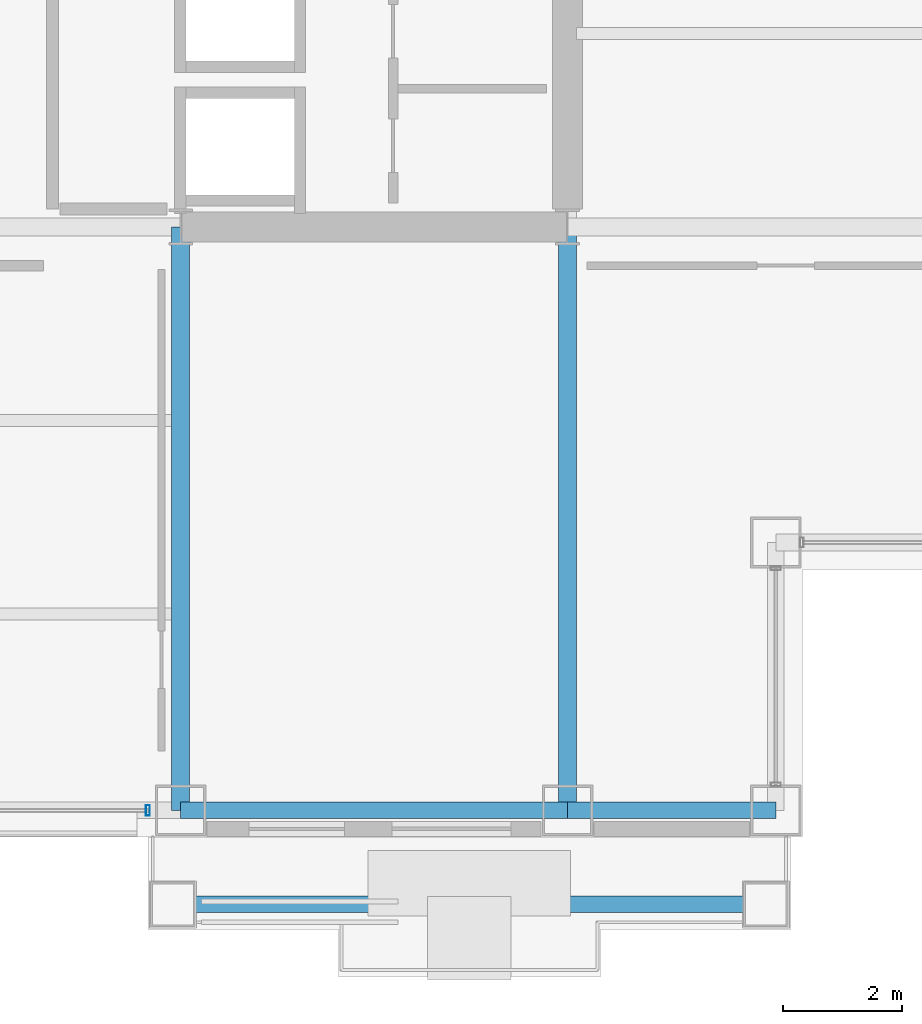
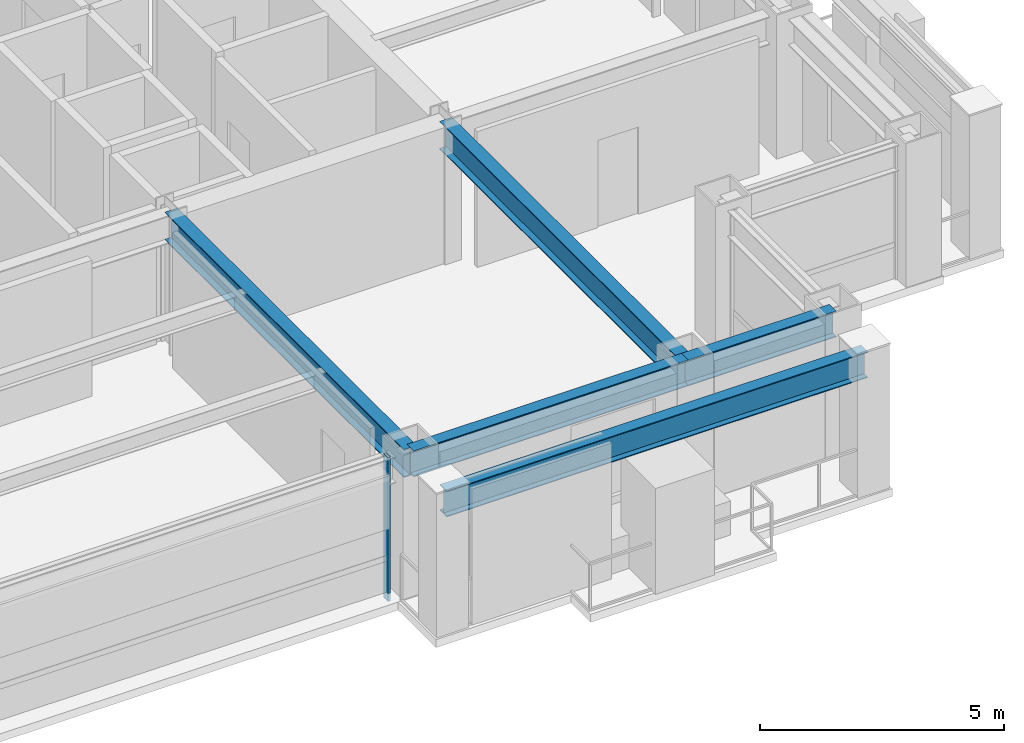
# One storey, part 11 of 29: 5 beams, 1 member, 1 element without a shape of its own.
"""IFC4 building model written with IfcOpenShell, lengths in metres."""

from ifc_helpers import new_model, si_unit, direction, frame, origin, origin_2d, place, context, subcontext, project, spatial, hollow_rectangle, i_section, extrude, material, layer, layer_set, material_profile, profile_set, type_object, element, aggregate, save


model = new_model("IFC4")

# Units and contexts
model_context = context("Model", 3, precision=1e-05, world=origin(), true_north=direction((0.0, 1.0)))
body_context = subcontext(model_context, "Body", "Model", "MODEL_VIEW")
ifc_project = project(units=[si_unit("LENGTHUNIT", "METRE"), si_unit("AREAUNIT", "SQUARE_METRE"), si_unit("VOLUMEUNIT", "CUBIC_METRE"), si_unit("PLANEANGLEUNIT", "RADIAN"), si_unit("MASSUNIT", "GRAM", prefix="KILO")], contexts=[model_context])

# Site, building, storey
site_placement = place(None, origin())
site = spatial("IfcSite", under=ifc_project, at=site_placement, CompositionType="ELEMENT")
building_placement = place(site_placement, origin())
building = spatial("IfcBuilding", under=site, at=building_placement, Name="Brelmoor Portico Tower", CompositionType="ELEMENT")
storey_placement = place(building_placement, frame((0.0, 0.0, 95.39990234375)))
storey = spatial("IfcBuildingStorey", under=building, at=storey_placement, Name="L24", CompositionType="ELEMENT", Elevation=95.39990234375)

# Beams
ifc_material_1 = material(Name="Steel Q355B", Category="steel")
ifc_material_profile_1 = material_profile(ifc_material_1, i_section(OverallWidth=0.300048828125, OverallDepth=0.699951171875, WebThickness=0.012939453125, FlangeThickness=0.02392578125, at=origin_2d()), Name="HN 700x300x13x24")
ifc_profile_set_1 = profile_set([ifc_material_profile_1], Name="Steel Q355B")
beam_type_1 = type_object("IfcBeamType", Name="BM-PG-700", PredefinedType="BEAM", material=ifc_profile_set_1)
for number, where, z_axis, x_axis, name in (
    (1, (8.050048828125, -19.550048828125, 3.050048828125), (0.0, 1.0, 0.0), (-1.0, 0.0, 0.0), "L24 Primary Floor Girder PG-08"),
    (2, (14.550048828125, -19.550048828125, 3.050048828125), (0.0, 1.0, 0.0), (-1.0, 0.0, 0.0), "L24 Primary Floor Girder PG-10"),
):
    element("IfcBeam", number, at=place(storey_placement, frame(where, z_axis=z_axis, x_axis=x_axis)), inside=storey, type_object=beam_type_1, Name=name, PredefinedType="BEAM", context=body_context, shape_type="SweptSolid", body=[
        extrude(i_section(OverallWidth=0.300048828125, OverallDepth=0.699951171875, WebThickness=0.012939453125, FlangeThickness=0.02392578125, at=origin_2d()), origin(), (0.0, 0.0, 1.0), 9.800048828125),
    ])
ifc_material_profile_2 = material_profile(ifc_material_1, i_section(OverallWidth=0.280029296875, OverallDepth=0.64990234375, WebThickness=0.012939453125, FlangeThickness=0.02197265625, at=origin_2d()), Name="HN 650x280x13x22")
ifc_profile_set_2 = profile_set([ifc_material_profile_2], Name="Steel Q355B")
beam_type_2 = type_object("IfcBeamType", Name="BM-SP-650", PredefinedType="SPANDREL", material=ifc_profile_set_2)
beam_1_placement = place(storey_placement, frame((8.050048828125, -19.550048828125, 3.0751953125), z_axis=(1.0, 0.0, 0.0), x_axis=(0.0, 1.0, 0.0)))
element("IfcBeam", 3, at=beam_1_placement, inside=storey, type_object=beam_type_2, Name="L24 Perimeter Spandrel Beam SP-04", PredefinedType="SPANDREL", context=body_context, shape_type="SweptSolid", body=[
    extrude(i_section(OverallWidth=0.280029296875, OverallDepth=0.64990234375, WebThickness=0.012939453125, FlangeThickness=0.02197265625, at=origin_2d()), origin(), (0.0, 0.0, 1.0), 6.5),
])
beam_2_placement = place(storey_placement, frame((14.550048828125, -19.550048828125, 3.0751953125), z_axis=(1.0, 0.0, 0.0), x_axis=(0.0, 1.0, 0.0)))
element("IfcBeam", 4, at=beam_2_placement, inside=storey, type_object=beam_type_2, Name="L24 Perimeter Spandrel Beam SP-05", PredefinedType="SPANDREL", context=body_context, shape_type="SweptSolid", body=[
    extrude(i_section(OverallWidth=0.280029296875, OverallDepth=0.64990234375, WebThickness=0.012939453125, FlangeThickness=0.02197265625, at=origin_2d()), origin(), (0.0, 0.0, 1.0), 3.5),
])
beam_3_placement = place(storey_placement, frame((7.919921875, -21.1298828125, 3.0751953125), z_axis=(1.0, 0.0, 0.0), x_axis=(0.0, 1.0, 0.0)))
element("IfcBeam", 5, at=beam_3_placement, inside=storey, type_object=beam_type_2, Name="L24 Picture-Frame Perimeter Lintel Beam S1", PredefinedType="SPANDREL", context=body_context, shape_type="SweptSolid", body=[
    extrude(i_section(OverallWidth=0.280029296875, OverallDepth=0.64990234375, WebThickness=0.012939453125, FlangeThickness=0.02197265625, at=origin_2d()), origin(), (0.0, 0.0, 1.0), 9.9599609375),
])

# Curtain wall, member
ifc_material_2 = material(Name="Anodised Aluminium Alloy 6063-T6", Category="aluminium")
ifc_layer = layer(ifc_material_2, 0.179931640625)
ifc_layer_set = layer_set([ifc_layer], Name="Anodised Aluminium Alloy 6063-T6")
curtain_wall_type = type_object("IfcCurtainWallType", Name="CW-TOWER-Z2", PredefinedType="NOTDEFINED", material=ifc_layer_set)
curtain_wall_placement = place(storey_placement, origin())
curtain_wall = element("IfcCurtainWall", 6, at=curtain_wall_placement, inside=storey, type_object=curtain_wall_type, Name="L24 Curtain Wall CW-L24-1L-3", PredefinedType="NOTDEFINED")
ifc_material_profile_3 = material_profile(ifc_material_2, hollow_rectangle(XDim=0.06494140625, YDim=0.179931640625, WallThickness=0.00390625, at=origin_2d()), Name="ALU MULLION 65x180")
ifc_profile_set_3 = profile_set([ifc_material_profile_3], Name="Anodised Aluminium Alloy 6063-T6")
member_type = type_object("IfcMemberType", Name="MB-CW-MULL-180", PredefinedType="MULLION", material=ifc_profile_set_3)
member_placement = place(storey_placement, frame((7.5, -19.550048828125, -0.199951171875), z_axis=(0.0, 0.0, 1.0), x_axis=(1.0, 0.0, 0.0)))
member = element("IfcMember", 7, at=member_placement, type_object=member_type, Name="CW-L24-1L-3 Mullion 01", PredefinedType="MULLION", context=body_context, shape_type="SweptSolid", body=[
    extrude(hollow_rectangle(XDim=0.06494140625, YDim=0.179931640625, WallThickness=0.00390625, at=origin_2d()), origin(), (0.0, 0.0, 1.0), 3.60009765625),
])
aggregate(curtain_wall, [member])

save(model, "model.ifc")
